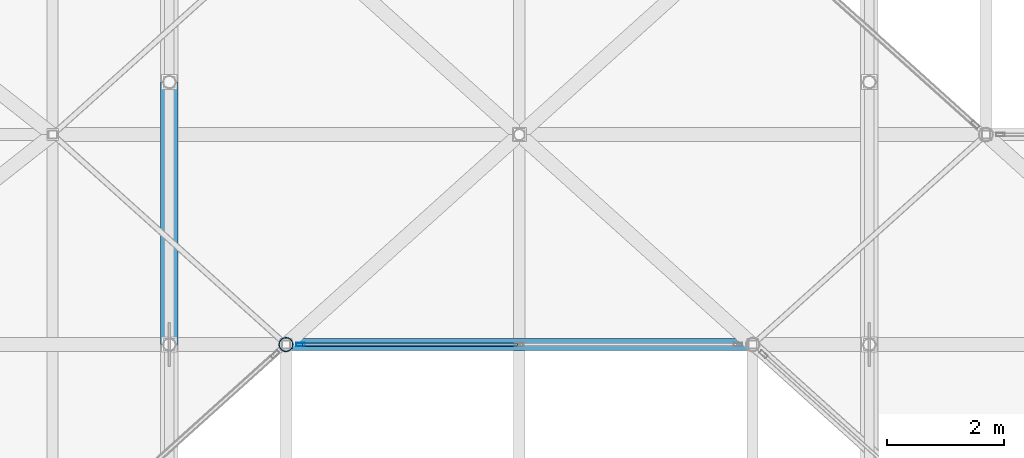
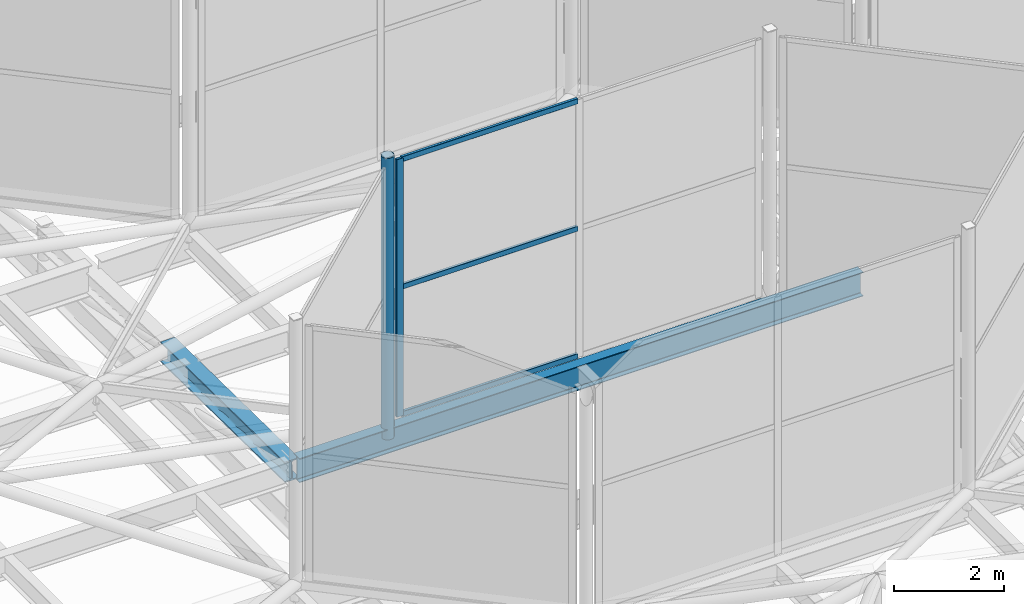
# One storey, part 62 of 239: 5 members, 2 beams, 1 element without a shape of its own.
"""IFC4 building model written with IfcOpenShell, lengths in metres."""

from ifc_helpers import new_model, si_unit, direction, frame, origin, origin_2d, place, context, subcontext, project, spatial, hollow_rectangle, hollow_circle, i_section, extrude, material, layer, layer_set, material_profile, profile_set, type_object, element, aggregate, save


model = new_model("IFC4")

# Units and contexts
model_context = context("Model", 3, precision=1e-05, world=origin(), true_north=direction((0.0, 1.0)))
body_context = subcontext(model_context, "Body", "Model", "MODEL_VIEW")
ifc_project = project(units=[si_unit("LENGTHUNIT", "METRE"), si_unit("AREAUNIT", "SQUARE_METRE"), si_unit("VOLUMEUNIT", "CUBIC_METRE"), si_unit("PLANEANGLEUNIT", "RADIAN"), si_unit("MASSUNIT", "GRAM", prefix="KILO")], contexts=[model_context])

# Site, building, storey
site_placement = place(None, origin())
site = spatial("IfcSite", under=ifc_project, at=site_placement, CompositionType="ELEMENT")
building_placement = place(site_placement, origin())
building = spatial("IfcBuilding", under=site, at=building_placement, Name="Dunvalen Ferry Terminal", CompositionType="ELEMENT")
storey_placement = place(building_placement, frame((0.0, 0.0, 9.840087890625)))
storey = spatial("IfcBuildingStorey", under=building, at=storey_placement, Name="L02", CompositionType="ELEMENT", Elevation=9.840087890625)

# Curtain wall, members
ifc_material_1 = material(Name="Anodised marine aluminium and solar-control glazing", Category="aluminium")
ifc_layer = layer(ifc_material_1, 0.179931640625, Name="Anodised marine aluminium and solar-control glazing")
ifc_layer_set = layer_set([ifc_layer], Name="Anodised marine aluminium and solar-control glazing")
curtain_wall_type = type_object("IfcCurtainWallType", Name="ENV-CW-SYS-05", PredefinedType="NOTDEFINED", material=ifc_layer_set)
curtain_wall_placement = place(storey_placement, origin())
curtain_wall = element("IfcCurtainWall", 1, at=curtain_wall_placement, inside=storey, type_object=curtain_wall_type, Name="L02 Curtain Wall CW-HEX-14-SK-5", PredefinedType="NOTDEFINED")
ifc_material_2 = material(Name="Anodised marine aluminium EN AW-6063 T6", Category="aluminium")
ifc_material_profile_1 = material_profile(ifc_material_2, hollow_rectangle(XDim=0.06005859375, YDim=0.14990234375, WallThickness=0.00341796875, InnerFilletRadius=0.00341796875, OuterFilletRadius=0.007080078125, at=origin_2d()), Name="Anodised marine aluminium EN AW-6063 T6")
ifc_profile_set_1 = profile_set([ifc_material_profile_1], Name="Anodised marine aluminium EN AW-6063 T6")
member_type_1 = type_object("IfcMemberType", Name="ENV-CW-MUL-3", PredefinedType="MULLION", material=ifc_profile_set_1)
member_1_placement = place(storey_placement, frame((26.25, 68.39990234375, 1.139892578125), z_axis=(0.0, 0.0, 1.0), x_axis=(0.0, -1.0, 0.0)))
member_1 = element("IfcMember", 2, at=member_1_placement, type_object=member_type_1, Name="CW-05 mullion 3", PredefinedType="MULLION", context=body_context, shape_type="SweptSolid", body=[
    extrude(hollow_rectangle(XDim=0.06005859375, YDim=0.14990234375, WallThickness=0.00341796875, InnerFilletRadius=0.00341796875, OuterFilletRadius=0.007080078125, at=origin_2d()), origin(), (0.0, 0.0, 1.0), 5.699951171875),
])
ifc_material_profile_2 = material_profile(ifc_material_2, hollow_rectangle(XDim=0.06005859375, YDim=0.114990234375, WallThickness=0.0029296875, InnerFilletRadius=0.0029296875, OuterFilletRadius=0.006103515625, at=origin_2d()), Name="Anodised marine aluminium EN AW-6063 T6")
ifc_profile_set_2 = profile_set([ifc_material_profile_2], Name="Anodised marine aluminium EN AW-6063 T6")
member_type_2 = type_object("IfcMemberType", Name="ENV-CW-TRN-3", PredefinedType="USERDEFINED", material=ifc_profile_set_2)
member_2_placement = place(storey_placement, frame((29.969970703125, 68.39990234375, 1.169921875), z_axis=(-1.0, 0.0, 0.0), x_axis=(0.0, -1.0, 0.0)))
member_2 = element("IfcMember", 3, at=member_2_placement, type_object=member_type_2, Name="CW-05 transom 2.1", ObjectType="TRANSOM", PredefinedType="USERDEFINED", context=body_context, shape_type="SweptSolid", body=[
    extrude(hollow_rectangle(XDim=0.06005859375, YDim=0.114990234375, WallThickness=0.0029296875, InnerFilletRadius=0.0029296875, OuterFilletRadius=0.006103515625, at=origin_2d()), origin(), (0.0, 0.0, 1.0), 3.68994140625),
])
member_3_placement = place(storey_placement, frame((29.969970703125, 68.39990234375, 3.989990234375), z_axis=(-1.0, 0.0, 0.0), x_axis=(0.0, -1.0, 0.0)))
member_3 = element("IfcMember", 4, at=member_3_placement, type_object=member_type_2, Name="CW-05 transom 2.2", ObjectType="TRANSOM", PredefinedType="USERDEFINED", context=body_context, shape_type="SweptSolid", body=[
    extrude(hollow_rectangle(XDim=0.06005859375, YDim=0.114990234375, WallThickness=0.0029296875, InnerFilletRadius=0.0029296875, OuterFilletRadius=0.006103515625, at=origin_2d()), origin(), (0.0, 0.0, 1.0), 3.68994140625),
])
member_4_placement = place(storey_placement, frame((29.969970703125, 68.39990234375, 6.809814453125), z_axis=(-1.0, 0.0, 0.0), x_axis=(0.0, -1.0, 0.0)))
member_4 = element("IfcMember", 5, at=member_4_placement, type_object=member_type_2, Name="CW-05 transom 2.3", ObjectType="TRANSOM", PredefinedType="USERDEFINED", context=body_context, shape_type="SweptSolid", body=[
    extrude(hollow_rectangle(XDim=0.06005859375, YDim=0.114990234375, WallThickness=0.0029296875, InnerFilletRadius=0.0029296875, OuterFilletRadius=0.006103515625, at=origin_2d()), origin(), (0.0, 0.0, 1.0), 3.68994140625),
])
aggregate(curtain_wall, [member_1, member_2, member_3, member_4])

# Beams
ifc_material_3 = material(Name="Steel S355", Category="steel")
ifc_material_profile_3 = material_profile(ifc_material_3, i_section(OverallWidth=0.300048828125, OverallDepth=0.449951171875, WebThickness=0.013916015625, FlangeThickness=0.02587890625, FilletRadius=0.027099609375, at=origin_2d()), Name="Steel S355")
ifc_profile_set_3 = profile_set([ifc_material_profile_3], Name="Steel S355")
beam_type_1 = type_object("IfcBeamType", Name="STR-BM-HEB450", PredefinedType="BEAM", material=ifc_profile_set_3)
beam_1_placement = place(storey_placement, frame((24.0, 68.39990234375, 0.719970703125), z_axis=(0.0, 0.999907293085, -0.01361635908), x_axis=(-1.0, 0.0, 0.0)))
element("IfcBeam", 6, at=beam_1_placement, inside=storey, type_object=beam_type_1, Name="Departure Hall Tied-Arch Rib 02.5", PredefinedType="BEAM", context=body_context, shape_type="SweptSolid", body=[
    extrude(i_section(OverallWidth=0.300048828125, OverallDepth=0.449951171875, WebThickness=0.013916015625, FlangeThickness=0.02587890625, FilletRadius=0.027099609375, at=origin_2d()), origin(), (0.0, 0.0, 1.0), 4.50048828125),
])
ifc_material_profile_4 = material_profile(ifc_material_3, i_section(OverallWidth=0.209228515625, OverallDepth=0.533203125, WebThickness=0.010009765625, FlangeThickness=0.015625, FilletRadius=0.0126953125, at=origin_2d()), Name="Steel S355")
ifc_profile_set_4 = profile_set([ifc_material_profile_4], Name="Steel S355")
beam_type_2 = type_object("IfcBeamType", Name="STR-BM-UKB533", PredefinedType="BEAM", material=ifc_profile_set_4)
beam_2_placement = place(storey_placement, frame((24.10009765625, 68.39990234375, 0.7333984375), z_axis=(1.0, 0.0, 0.0), x_axis=(0.0, 1.0, 0.0)))
element("IfcBeam", 7, at=beam_2_placement, inside=storey, type_object=beam_type_2, Name="Departure Hall Spine Girder B2.06", PredefinedType="BEAM", context=body_context, shape_type="SweptSolid", body=[
    extrude(i_section(OverallWidth=0.209228515625, OverallDepth=0.533203125, WebThickness=0.010009765625, FlangeThickness=0.015625, FilletRadius=0.0126953125, at=origin_2d()), origin(), (0.0, 0.0, 1.0), 11.7998046875),
])

# Member
ifc_material_profile_5 = material_profile(ifc_material_3, hollow_circle(Radius=0.122314453125, WallThickness=0.010009765625, at=origin_2d()), Name="Steel S355")
ifc_profile_set_5 = profile_set([ifc_material_profile_5], Name="Steel S355")
member_type_3 = type_object("IfcMemberType", Name="STR-MB-CHS244", PredefinedType="STRUT", material=ifc_profile_set_5)
member_5_placement = place(storey_placement, frame((26.0, 68.39990234375, 0.77001953125), z_axis=(0.0, 0.0, 1.0), x_axis=(1.0, 0.0, 0.0)))
element("IfcMember", 8, at=member_5_placement, inside=storey, type_object=member_type_3, Name="HEX-14 Skylight Lantern Corner Strut 6", PredefinedType="STRUT", context=body_context, shape_type="SweptSolid", body=[
    extrude(hollow_circle(Radius=0.122314453125, WallThickness=0.010009765625, at=origin_2d()), origin(), (0.0, 0.0, 1.0), 6.22998046875),
])

save(model, "model.ifc")
